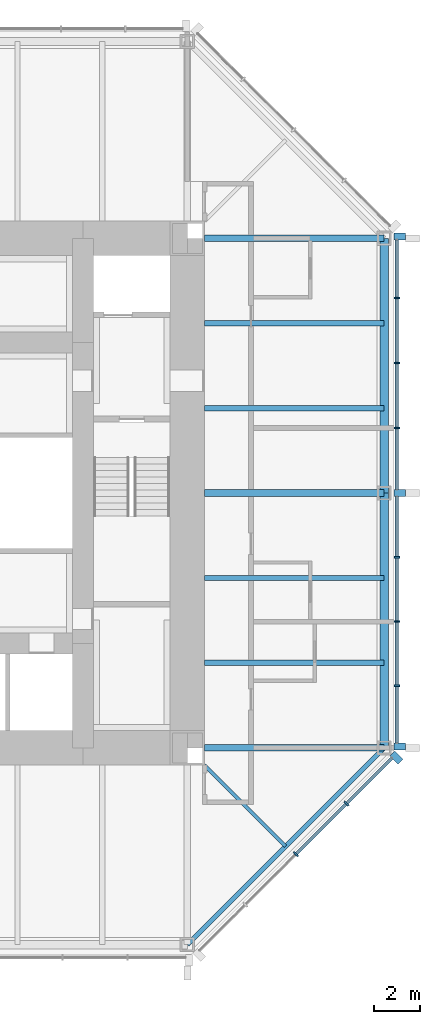
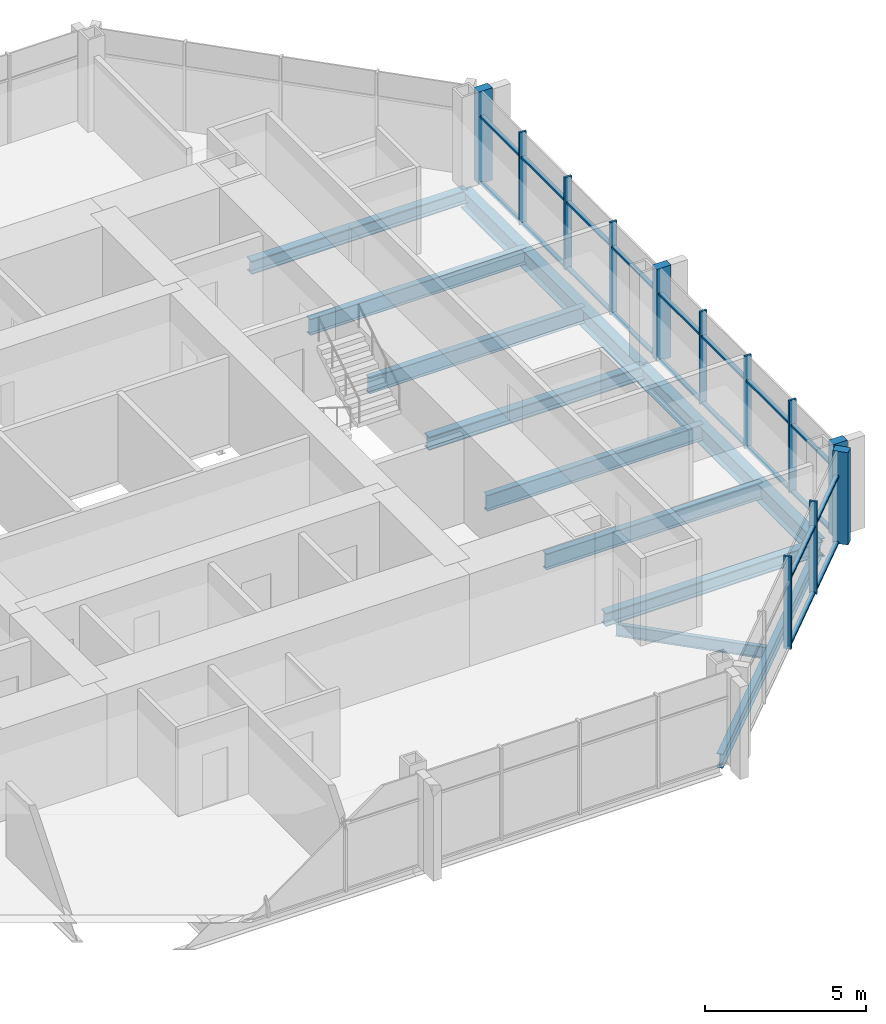
# One storey, part 4 of 11: 32 members, 11 beams, 2 elements without a shape of their own.
"""IFC4 building model written with IfcOpenShell, lengths in metres."""

from ifc_helpers import new_model, si_unit, direction, frame, origin, origin_2d, place, context, subcontext, project, spatial, rectangle, i_section, extrude, material, material_profile, profile_set, type_object, element, aggregate, save


model = new_model("IFC4")

# Units and contexts
model_context = context("Model", 3, precision=1e-05, world=origin(), true_north=direction((0.0, 1.0)))
body_context = subcontext(model_context, "Body", "Model", "MODEL_VIEW")
ifc_project = project(units=[si_unit("LENGTHUNIT", "METRE"), si_unit("AREAUNIT", "SQUARE_METRE"), si_unit("VOLUMEUNIT", "CUBIC_METRE"), si_unit("PLANEANGLEUNIT", "RADIAN"), si_unit("MASSUNIT", "GRAM", prefix="KILO")], contexts=[model_context])

# Site, building, storey
site_placement = place(None, origin())
site = spatial("IfcSite", under=ifc_project, at=site_placement, CompositionType="ELEMENT")
building_placement = place(site_placement, origin())
building = spatial("IfcBuilding", under=site, at=building_placement, Name="Trevanion Tower", CompositionType="ELEMENT")
storey_placement = place(building_placement, frame((0.0, 0.0, 222.199951171875)))
storey = spatial("IfcBuildingStorey", under=building, at=storey_placement, Name="L53", CompositionType="ELEMENT", Elevation=222.199951171875)

# Beams
ifc_material_1 = material(Name="Steel ASTM A992 Grade 50", Category="steel")
ifc_material_profile_1 = material_profile(ifc_material_1, i_section(OverallWidth=0.228271484375, OverallDepth=0.607177734375, WebThickness=0.01123046875, FlangeThickness=0.017333984375, at=origin_2d()), Name="W24X76")
ifc_profile_set_1 = profile_set([ifc_material_profile_1], Name="Steel ASTM A992 Grade 50")
beam_type_1 = type_object("IfcBeamType", Name="B11 W24X76", PredefinedType="BEAM", material=ifc_profile_set_1)
for number, where, z_axis, x_axis, name in (
    (1, (11.75, -7.333251953125, -0.493408203125), (1.0, 0.0, 0.0), (0.0, 1.0, 0.0), "B11 L53"),
    (2, (11.75, -3.666748046875, -0.493408203125), (1.0, 0.0, 0.0), (0.0, 1.0, 0.0), "B11 L53"),
    (3, (11.75, 3.666748046875, -0.493408203125), (1.0, 0.0, 0.0), (0.0, 1.0, 0.0), "B11 L53"),
    (4, (11.75, 7.333251953125, -0.493408203125), (1.0, 0.0, 0.0), (0.0, 1.0, 0.0), "B11 L53"),
):
    element("IfcBeam", number, at=place(storey_placement, frame(where, z_axis=z_axis, x_axis=x_axis)), inside=storey, type_object=beam_type_1, Name=name, PredefinedType="BEAM", context=body_context, shape_type="SweptSolid", body=[
        extrude(i_section(OverallWidth=0.228271484375, OverallDepth=0.607177734375, WebThickness=0.01123046875, FlangeThickness=0.017333984375, at=origin_2d()), origin(), (0.0, 0.0, 1.0), 7.75),
    ])
ifc_material_2 = material(Name="Steel ASTM A992 Grade 50", Category="steel")
ifc_material_profile_2 = material_profile(ifc_material_2, i_section(OverallWidth=0.15234375, OverallDepth=0.449462890625, WebThickness=0.007568359375, FlangeThickness=0.0107421875, at=origin_2d()), Name="W18X35")
ifc_profile_set_2 = profile_set([ifc_material_profile_2], Name="Steel ASTM A992 Grade 50")
beam_type_2 = type_object("IfcBeamType", Name="B12 W18X35", PredefinedType="BEAM", material=ifc_profile_set_2)
beam_1_placement = place(storey_placement, frame((11.75, -11.75, -0.414794921875), z_axis=(0.707106781187, -0.707106781187, 0.0), x_axis=(0.707106781187, 0.707106781187, 0.0)))
element("IfcBeam", 5, at=beam_1_placement, inside=storey, type_object=beam_type_2, Name="B12 L53", PredefinedType="BEAM", context=body_context, shape_type="SweptSolid", body=[
    extrude(i_section(OverallWidth=0.15234375, OverallDepth=0.449462890625, WebThickness=0.007568359375, FlangeThickness=0.0107421875, at=origin_2d()), origin(), (0.0, 0.0, 1.0), 4.94970703125),
])

# Curtain wall, members
ifc_material_3 = material(Name="Aluminium and glass", Category="aluminium")
curtain_wall_type = type_object("IfcCurtainWallType", Name="CW3 curtain wall", PredefinedType="USERDEFINED", material=ifc_material_3)
curtain_wall_1_placement = place(storey_placement, origin())
curtain_wall_1 = element("IfcCurtainWall", 6, at=curtain_wall_1_placement, inside=storey, type_object=curtain_wall_type, Name="CW3 L53 0", ObjectType="UNITISED CURTAIN WALL", PredefinedType="USERDEFINED")
ifc_material_4 = material(Name="Aluminium extrusion, anodised bronze", Category="aluminium")
ifc_material_profile_3 = material_profile(ifc_material_4, rectangle(XDim=0.074951171875, YDim=0.25, at=origin_2d()), Name="CW3 mullion")
ifc_profile_set_3 = profile_set([ifc_material_profile_3], Name="Aluminium extrusion, anodised bronze")
member_type_1 = type_object("IfcMemberType", Name="CW3 mullion", PredefinedType="MULLION", material=ifc_profile_set_3)
member_1_placement = place(storey_placement, frame((20.050048828125, -8.323486328125, -0.18994140625), z_axis=(0.0, 0.0, 1.0), x_axis=(0.0, 1.0, 0.0)))
member_1 = element("IfcMember", 7, at=member_1_placement, type_object=member_type_1, Name="CW3 mullion 2", PredefinedType="MULLION", context=body_context, shape_type="SweptSolid", body=[
    extrude(rectangle(XDim=0.074951171875, YDim=0.25, at=origin_2d()), origin(), (0.0, 0.0, 1.0), 3.5),
])
member_2_placement = place(storey_placement, frame((20.050048828125, -5.548828125, -0.18994140625), z_axis=(0.0, 0.0, 1.0), x_axis=(0.0, 1.0, 0.0)))
member_2 = element("IfcMember", 8, at=member_2_placement, type_object=member_type_1, Name="CW3 mullion 3", PredefinedType="MULLION", context=body_context, shape_type="SweptSolid", body=[
    extrude(rectangle(XDim=0.074951171875, YDim=0.25, at=origin_2d()), origin(), (0.0, 0.0, 1.0), 3.5),
])
member_3_placement = place(storey_placement, frame((20.050048828125, -2.7744140625, -0.18994140625), z_axis=(0.0, 0.0, 1.0), x_axis=(0.0, 1.0, 0.0)))
member_3 = element("IfcMember", 9, at=member_3_placement, type_object=member_type_1, Name="CW3 mullion 4", PredefinedType="MULLION", context=body_context, shape_type="SweptSolid", body=[
    extrude(rectangle(XDim=0.074951171875, YDim=0.25, at=origin_2d()), origin(), (0.0, 0.0, 1.0), 3.5),
])
member_4_placement = place(storey_placement, frame((20.050048828125, 2.806884765625, -0.18994140625), z_axis=(0.0, 0.0, 1.0), x_axis=(0.0, 1.0, 0.0)))
member_4 = element("IfcMember", 10, at=member_4_placement, type_object=member_type_1, Name="CW3 mullion 6", PredefinedType="MULLION", context=body_context, shape_type="SweptSolid", body=[
    extrude(rectangle(XDim=0.074951171875, YDim=0.25, at=origin_2d()), origin(), (0.0, 0.0, 1.0), 3.5),
])
member_5_placement = place(storey_placement, frame((20.050048828125, 5.614013671875, -0.18994140625), z_axis=(0.0, 0.0, 1.0), x_axis=(0.0, 1.0, 0.0)))
member_5 = element("IfcMember", 11, at=member_5_placement, type_object=member_type_1, Name="CW3 mullion 7", PredefinedType="MULLION", context=body_context, shape_type="SweptSolid", body=[
    extrude(rectangle(XDim=0.074951171875, YDim=0.25, at=origin_2d()), origin(), (0.0, 0.0, 1.0), 3.5),
])
member_6_placement = place(storey_placement, frame((20.050048828125, 8.4208984375, -0.18994140625), z_axis=(0.0, 0.0, 1.0), x_axis=(0.0, 1.0, 0.0)))
member_6 = element("IfcMember", 12, at=member_6_placement, type_object=member_type_1, Name="CW3 mullion 8", PredefinedType="MULLION", context=body_context, shape_type="SweptSolid", body=[
    extrude(rectangle(XDim=0.074951171875, YDim=0.25, at=origin_2d()), origin(), (0.0, 0.0, 1.0), 3.5),
])

curtain_wall_2_placement = place(storey_placement, origin())
curtain_wall_2 = element("IfcCurtainWall", 13, at=curtain_wall_2_placement, inside=storey, type_object=curtain_wall_type, Name="CW3 L53 7", ObjectType="UNITISED CURTAIN WALL", PredefinedType="USERDEFINED")
member_7_placement = place(storey_placement, frame((15.684814453125, -15.593017578125, -0.18994140625), z_axis=(0.0, 0.0, 1.0), x_axis=(0.707106781187, 0.707106781187, 0.0)))
member_7 = element("IfcMember", 14, at=member_7_placement, type_object=member_type_1, Name="CW3 mullion 3", PredefinedType="MULLION", context=body_context, shape_type="SweptSolid", body=[
    extrude(rectangle(XDim=0.074951171875, YDim=0.25, at=origin_2d()), origin(), (0.0, 0.0, 1.0), 3.5),
])
member_8_placement = place(storey_placement, frame((17.867431640625, -13.410400390625, -0.18994140625), z_axis=(0.0, 0.0, 1.0), x_axis=(0.707106781187, 0.707106781187, 0.0)))
member_8 = element("IfcMember", 15, at=member_8_placement, type_object=member_type_1, Name="CW3 mullion 4", PredefinedType="MULLION", context=body_context, shape_type="SweptSolid", body=[
    extrude(rectangle(XDim=0.074951171875, YDim=0.25, at=origin_2d()), origin(), (0.0, 0.0, 1.0), 3.5),
])

# Member
ifc_material_5 = material(Name="Aluminium extrusion, anodised bronze", Category="aluminium")
ifc_material_profile_4 = material_profile(ifc_material_5, rectangle(XDim=0.300048828125, YDim=0.5, at=origin_2d()), Name="CW3 pier mullion")
ifc_profile_set_4 = profile_set([ifc_material_profile_4], Name="Aluminium extrusion, anodised bronze")
member_type_2 = type_object("IfcMemberType", Name="CW3 pier mullion", PredefinedType="MULLION", material=ifc_profile_set_4)
member_9_placement = place(storey_placement, frame((20.175048828125, -10.94775390625, -0.18994140625), z_axis=(0.0, 0.0, 1.0), x_axis=(0.0, 1.0, 0.0)))
member_9 = element("IfcMember", 16, at=member_9_placement, type_object=member_type_2, Name="CW3 pier mullion 1", PredefinedType="MULLION", context=body_context, shape_type="SweptSolid", body=[
    extrude(rectangle(XDim=0.300048828125, YDim=0.5, at=origin_2d()), origin(), (0.0, 0.0, 1.0), 3.5),
])

member_10_placement = place(storey_placement, frame((20.175048828125, 0.0, -0.18994140625), z_axis=(0.0, 0.0, 1.0), x_axis=(0.0, 1.0, 0.0)))
member_10 = element("IfcMember", 17, at=member_10_placement, type_object=member_type_2, Name="CW3 pier mullion 5", PredefinedType="MULLION", context=body_context, shape_type="SweptSolid", body=[
    extrude(rectangle(XDim=0.300048828125, YDim=0.5, at=origin_2d()), origin(), (0.0, 0.0, 1.0), 3.5),
])

member_11_placement = place(storey_placement, frame((20.175048828125, 11.077880859375, -0.18994140625), z_axis=(0.0, 0.0, 1.0), x_axis=(0.0, 1.0, 0.0)))
member_11 = element("IfcMember", 18, at=member_11_placement, type_object=member_type_2, Name="CW3 pier mullion 9", PredefinedType="MULLION", context=body_context, shape_type="SweptSolid", body=[
    extrude(rectangle(XDim=0.300048828125, YDim=0.5, at=origin_2d()), origin(), (0.0, 0.0, 1.0), 3.5),
])

member_12_placement = place(storey_placement, frame((20.0322265625, -11.42236328125, -0.18994140625), z_axis=(0.0, 0.0, 1.0), x_axis=(0.707106781187, 0.707106781187, 0.0)))
member_12 = element("IfcMember", 19, at=member_12_placement, type_object=member_type_2, Name="CW3 pier mullion 5", PredefinedType="MULLION", context=body_context, shape_type="SweptSolid", body=[
    extrude(rectangle(XDim=0.300048828125, YDim=0.5, at=origin_2d()), origin(), (0.0, 0.0, 1.0), 3.5),
])

ifc_material_6 = material(Name="Aluminium extrusion, anodised bronze", Category="aluminium")
ifc_material_profile_5 = material_profile(ifc_material_6, rectangle(XDim=0.14990234375, YDim=0.074951171875, at=origin_2d()), Name="CW3 transom")
ifc_profile_set_5 = profile_set([ifc_material_profile_5], Name="Aluminium extrusion, anodised bronze")
member_type_3 = type_object("IfcMemberType", Name="CW3 transom", PredefinedType="USERDEFINED", material=ifc_profile_set_5)
member_13_placement = place(storey_placement, frame((20.050048828125, -10.7978515625, -0.15234375), z_axis=(0.0, 1.0, 0.0), x_axis=(-1.0, 0.0, 0.0)))
member_13 = element("IfcMember", 20, at=member_13_placement, type_object=member_type_3, Name="CW3 transom 1.1", ObjectType="TRANSOM", PredefinedType="USERDEFINED", context=body_context, shape_type="SweptSolid", body=[
    extrude(rectangle(XDim=0.14990234375, YDim=0.074951171875, at=origin_2d()), origin(), (0.0, 0.0, 1.0), 2.43701171875),
])

member_14_placement = place(storey_placement, frame((20.050048828125, -10.7978515625, 2.360107421875), z_axis=(0.0, 1.0, 0.0), x_axis=(-1.0, 0.0, 0.0)))
member_14 = element("IfcMember", 21, at=member_14_placement, type_object=member_type_3, Name="CW3 transom 1.2", ObjectType="TRANSOM", PredefinedType="USERDEFINED", context=body_context, shape_type="SweptSolid", body=[
    extrude(rectangle(XDim=0.14990234375, YDim=0.074951171875, at=origin_2d()), origin(), (0.0, 0.0, 1.0), 2.43701171875),
])

member_15_placement = place(storey_placement, frame((20.050048828125, -8.285888671875, -0.15234375), z_axis=(0.0, 1.0, 0.0), x_axis=(-1.0, 0.0, 0.0)))
member_15 = element("IfcMember", 22, at=member_15_placement, type_object=member_type_3, Name="CW3 transom 2.1", ObjectType="TRANSOM", PredefinedType="USERDEFINED", context=body_context, shape_type="SweptSolid", body=[
    extrude(rectangle(XDim=0.14990234375, YDim=0.074951171875, at=origin_2d()), origin(), (0.0, 0.0, 1.0), 2.699462890625),
])

member_16_placement = place(storey_placement, frame((20.050048828125, -8.285888671875, 2.360107421875), z_axis=(0.0, 1.0, 0.0), x_axis=(-1.0, 0.0, 0.0)))
member_16 = element("IfcMember", 23, at=member_16_placement, type_object=member_type_3, Name="CW3 transom 2.2", ObjectType="TRANSOM", PredefinedType="USERDEFINED", context=body_context, shape_type="SweptSolid", body=[
    extrude(rectangle(XDim=0.14990234375, YDim=0.074951171875, at=origin_2d()), origin(), (0.0, 0.0, 1.0), 2.699462890625),
])

member_17_placement = place(storey_placement, frame((20.050048828125, -5.511474609375, -0.15234375), z_axis=(0.0, 1.0, 0.0), x_axis=(-1.0, 0.0, 0.0)))
member_17 = element("IfcMember", 24, at=member_17_placement, type_object=member_type_3, Name="CW3 transom 3.1", ObjectType="TRANSOM", PredefinedType="USERDEFINED", context=body_context, shape_type="SweptSolid", body=[
    extrude(rectangle(XDim=0.14990234375, YDim=0.074951171875, at=origin_2d()), origin(), (0.0, 0.0, 1.0), 2.699462890625),
])

member_18_placement = place(storey_placement, frame((20.050048828125, -5.511474609375, 2.360107421875), z_axis=(0.0, 1.0, 0.0), x_axis=(-1.0, 0.0, 0.0)))
member_18 = element("IfcMember", 25, at=member_18_placement, type_object=member_type_3, Name="CW3 transom 3.2", ObjectType="TRANSOM", PredefinedType="USERDEFINED", context=body_context, shape_type="SweptSolid", body=[
    extrude(rectangle(XDim=0.14990234375, YDim=0.074951171875, at=origin_2d()), origin(), (0.0, 0.0, 1.0), 2.699462890625),
])

member_19_placement = place(storey_placement, frame((20.050048828125, -2.737060546875, -0.15234375), z_axis=(0.0, 1.0, 0.0), x_axis=(-1.0, 0.0, 0.0)))
member_19 = element("IfcMember", 26, at=member_19_placement, type_object=member_type_3, Name="CW3 transom 4.1", ObjectType="TRANSOM", PredefinedType="USERDEFINED", context=body_context, shape_type="SweptSolid", body=[
    extrude(rectangle(XDim=0.14990234375, YDim=0.074951171875, at=origin_2d()), origin(), (0.0, 0.0, 1.0), 2.587158203125),
])

member_20_placement = place(storey_placement, frame((20.050048828125, -2.737060546875, 2.360107421875), z_axis=(0.0, 1.0, 0.0), x_axis=(-1.0, 0.0, 0.0)))
member_20 = element("IfcMember", 27, at=member_20_placement, type_object=member_type_3, Name="CW3 transom 4.2", ObjectType="TRANSOM", PredefinedType="USERDEFINED", context=body_context, shape_type="SweptSolid", body=[
    extrude(rectangle(XDim=0.14990234375, YDim=0.074951171875, at=origin_2d()), origin(), (0.0, 0.0, 1.0), 2.587158203125),
])

member_21_placement = place(storey_placement, frame((20.050048828125, 0.14990234375, -0.15234375), z_axis=(0.0, 1.0, 0.0), x_axis=(-1.0, 0.0, 0.0)))
member_21 = element("IfcMember", 28, at=member_21_placement, type_object=member_type_3, Name="CW3 transom 5.1", ObjectType="TRANSOM", PredefinedType="USERDEFINED", context=body_context, shape_type="SweptSolid", body=[
    extrude(rectangle(XDim=0.14990234375, YDim=0.074951171875, at=origin_2d()), origin(), (0.0, 0.0, 1.0), 2.619384765625),
])

member_22_placement = place(storey_placement, frame((20.050048828125, 0.14990234375, 2.360107421875), z_axis=(0.0, 1.0, 0.0), x_axis=(-1.0, 0.0, 0.0)))
member_22 = element("IfcMember", 29, at=member_22_placement, type_object=member_type_3, Name="CW3 transom 5.2", ObjectType="TRANSOM", PredefinedType="USERDEFINED", context=body_context, shape_type="SweptSolid", body=[
    extrude(rectangle(XDim=0.14990234375, YDim=0.074951171875, at=origin_2d()), origin(), (0.0, 0.0, 1.0), 2.619384765625),
])

member_23_placement = place(storey_placement, frame((20.050048828125, 2.844482421875, -0.15234375), z_axis=(0.0, 1.0, 0.0), x_axis=(-1.0, 0.0, 0.0)))
member_23 = element("IfcMember", 30, at=member_23_placement, type_object=member_type_3, Name="CW3 transom 6.1", ObjectType="TRANSOM", PredefinedType="USERDEFINED", context=body_context, shape_type="SweptSolid", body=[
    extrude(rectangle(XDim=0.14990234375, YDim=0.074951171875, at=origin_2d()), origin(), (0.0, 0.0, 1.0), 2.73193359375),
])

member_24_placement = place(storey_placement, frame((20.050048828125, 2.844482421875, 2.360107421875), z_axis=(0.0, 1.0, 0.0), x_axis=(-1.0, 0.0, 0.0)))
member_24 = element("IfcMember", 31, at=member_24_placement, type_object=member_type_3, Name="CW3 transom 6.2", ObjectType="TRANSOM", PredefinedType="USERDEFINED", context=body_context, shape_type="SweptSolid", body=[
    extrude(rectangle(XDim=0.14990234375, YDim=0.074951171875, at=origin_2d()), origin(), (0.0, 0.0, 1.0), 2.73193359375),
])

member_25_placement = place(storey_placement, frame((20.050048828125, 5.6513671875, -0.15234375), z_axis=(0.0, 1.0, 0.0), x_axis=(-1.0, 0.0, 0.0)))
member_25 = element("IfcMember", 32, at=member_25_placement, type_object=member_type_3, Name="CW3 transom 7.1", ObjectType="TRANSOM", PredefinedType="USERDEFINED", context=body_context, shape_type="SweptSolid", body=[
    extrude(rectangle(XDim=0.14990234375, YDim=0.074951171875, at=origin_2d()), origin(), (0.0, 0.0, 1.0), 2.73193359375),
])

member_26_placement = place(storey_placement, frame((20.050048828125, 5.6513671875, 2.360107421875), z_axis=(0.0, 1.0, 0.0), x_axis=(-1.0, 0.0, 0.0)))
member_26 = element("IfcMember", 33, at=member_26_placement, type_object=member_type_3, Name="CW3 transom 7.2", ObjectType="TRANSOM", PredefinedType="USERDEFINED", context=body_context, shape_type="SweptSolid", body=[
    extrude(rectangle(XDim=0.14990234375, YDim=0.074951171875, at=origin_2d()), origin(), (0.0, 0.0, 1.0), 2.73193359375),
])

member_27_placement = place(storey_placement, frame((20.050048828125, 8.45849609375, -0.15234375), z_axis=(0.0, 1.0, 0.0), x_axis=(-1.0, 0.0, 0.0)))
member_27 = element("IfcMember", 34, at=member_27_placement, type_object=member_type_3, Name="CW3 transom 8.1", ObjectType="TRANSOM", PredefinedType="USERDEFINED", context=body_context, shape_type="SweptSolid", body=[
    extrude(rectangle(XDim=0.14990234375, YDim=0.074951171875, at=origin_2d()), origin(), (0.0, 0.0, 1.0), 2.46923828125),
])

member_28_placement = place(storey_placement, frame((20.050048828125, 8.45849609375, 2.360107421875), z_axis=(0.0, 1.0, 0.0), x_axis=(-1.0, 0.0, 0.0)))
member_28 = element("IfcMember", 35, at=member_28_placement, type_object=member_type_3, Name="CW3 transom 8.2", ObjectType="TRANSOM", PredefinedType="USERDEFINED", context=body_context, shape_type="SweptSolid", body=[
    extrude(rectangle(XDim=0.14990234375, YDim=0.074951171875, at=origin_2d()), origin(), (0.0, 0.0, 1.0), 2.46923828125),
])

aggregate(curtain_wall_1, [member_9, member_1, member_2, member_3, member_10, member_4, member_5, member_6, member_11, member_13, member_14, member_15, member_16, member_17, member_18, member_19, member_20, member_21, member_22, member_23, member_24, member_25, member_26, member_27, member_28])

member_29_placement = place(storey_placement, frame((15.71142578125, -15.56640625, -0.15234375), z_axis=(0.707106781187, 0.707106781187, 0.0), x_axis=(-0.707106781187, 0.707106781187, 0.0)))
member_29 = element("IfcMember", 36, at=member_29_placement, type_object=member_type_3, Name="CW3 transom 3.1", ObjectType="TRANSOM", PredefinedType="USERDEFINED", context=body_context, shape_type="SweptSolid", body=[
    extrude(rectangle(XDim=0.14990234375, YDim=0.074951171875, at=origin_2d()), origin(), (0.0, 0.0, 1.0), 3.011474609375),
])

member_30_placement = place(storey_placement, frame((15.71142578125, -15.56640625, 2.360107421875), z_axis=(0.707106781187, 0.707106781187, 0.0), x_axis=(-0.707106781187, 0.707106781187, 0.0)))
member_30 = element("IfcMember", 37, at=member_30_placement, type_object=member_type_3, Name="CW3 transom 3.2", ObjectType="TRANSOM", PredefinedType="USERDEFINED", context=body_context, shape_type="SweptSolid", body=[
    extrude(rectangle(XDim=0.14990234375, YDim=0.074951171875, at=origin_2d()), origin(), (0.0, 0.0, 1.0), 3.011474609375),
])

member_31_placement = place(storey_placement, frame((17.89404296875, -13.3837890625, -0.15234375), z_axis=(0.707106781187, 0.707106781187, 0.0), x_axis=(-0.707106781187, 0.707106781187, 0.0)))
member_31 = element("IfcMember", 38, at=member_31_placement, type_object=member_type_3, Name="CW3 transom 4.1", ObjectType="TRANSOM", PredefinedType="USERDEFINED", context=body_context, shape_type="SweptSolid", body=[
    extrude(rectangle(XDim=0.14990234375, YDim=0.074951171875, at=origin_2d()), origin(), (0.0, 0.0, 1.0), 2.7490234375),
])

member_32_placement = place(storey_placement, frame((17.89404296875, -13.3837890625, 2.360107421875), z_axis=(0.707106781187, 0.707106781187, 0.0), x_axis=(-0.707106781187, 0.707106781187, 0.0)))
member_32 = element("IfcMember", 39, at=member_32_placement, type_object=member_type_3, Name="CW3 transom 4.2", ObjectType="TRANSOM", PredefinedType="USERDEFINED", context=body_context, shape_type="SweptSolid", body=[
    extrude(rectangle(XDim=0.14990234375, YDim=0.074951171875, at=origin_2d()), origin(), (0.0, 0.0, 1.0), 2.7490234375),
])

aggregate(curtain_wall_2, [member_7, member_8, member_12, member_29, member_30, member_31, member_32])

# Beams
ifc_material_7 = material(Name="Steel ASTM A992 Grade 50", Category="steel")
ifc_material_profile_6 = material_profile(ifc_material_7, i_section(OverallWidth=0.28955078125, OverallDepth=0.508056640625, WebThickness=0.022705078125, FlangeThickness=0.040283203125, at=origin_2d()), Name="W18X175")
ifc_profile_set_6 = profile_set([ifc_material_profile_6], Name="Steel ASTM A992 Grade 50")
beam_type_3 = type_object("IfcBeamType", Name="G6 W18X175", PredefinedType="BEAM", material=ifc_profile_set_6)
for number, where, z_axis, x_axis, name in (
    (40, (11.75, -11.0, -0.44384765625), (1.0, 0.0, 0.0), (0.0, 1.0, 0.0), "G6 L53"),
    (41, (11.75, 0.0, -0.44384765625), (1.0, 0.0, 0.0), (0.0, 1.0, 0.0), "G6 L53"),
    (42, (11.75, 11.0, -0.44384765625), (1.0, 0.0, 0.0), (0.0, 1.0, 0.0), "G6 L53"),
):
    element("IfcBeam", number, at=place(storey_placement, frame(where, z_axis=z_axis, x_axis=x_axis)), inside=storey, type_object=beam_type_3, Name=name, PredefinedType="BEAM", context=body_context, shape_type="SweptSolid", body=[
        extrude(i_section(OverallWidth=0.28955078125, OverallDepth=0.508056640625, WebThickness=0.022705078125, FlangeThickness=0.040283203125, at=origin_2d()), origin(), (0.0, 0.0, 1.0), 7.75),
    ])
ifc_material_8 = material(Name="Steel ASTM A992 Grade 50", Category="steel")
ifc_material_profile_7 = material_profile(ifc_material_8, i_section(OverallWidth=0.355712890625, OverallDepth=0.696044921875, WebThickness=0.015380859375, FlangeThickness=0.024658203125, at=origin_2d()), Name="W27X146")
ifc_profile_set_7 = profile_set([ifc_material_profile_7], Name="Steel ASTM A992 Grade 50")
beam_type_4 = type_object("IfcBeamType", Name="SB8 W27X146", PredefinedType="SPANDREL", material=ifc_profile_set_7)
for number, where, z_axis, x_axis, name in (
    (43, (19.5, -11.0, -0.537841796875), (0.0, 1.0, 0.0), (-1.0, 0.0, 0.0), "SB8 L53"),
    (44, (19.5, 0.0, -0.537841796875), (0.0, 1.0, 0.0), (-1.0, 0.0, 0.0), "SB8 L53"),
):
    element("IfcBeam", number, at=place(storey_placement, frame(where, z_axis=z_axis, x_axis=x_axis)), inside=storey, type_object=beam_type_4, Name=name, PredefinedType="SPANDREL", context=body_context, shape_type="SweptSolid", body=[
        extrude(i_section(OverallWidth=0.355712890625, OverallDepth=0.696044921875, WebThickness=0.015380859375, FlangeThickness=0.024658203125, at=origin_2d()), origin(), (0.0, 0.0, 1.0), 11.0),
    ])
ifc_material_9 = material(Name="Steel ASTM A992 Grade 50", Category="steel")
ifc_material_profile_8 = material_profile(ifc_material_9, i_section(OverallWidth=0.209228515625, OverallDepth=0.533447265625, WebThickness=0.01025390625, FlangeThickness=0.015625, at=origin_2d()), Name="W21X62")
ifc_profile_set_8 = profile_set([ifc_material_profile_8], Name="Steel ASTM A992 Grade 50")
beam_type_5 = type_object("IfcBeamType", Name="SB9 W21X62", PredefinedType="SPANDREL", material=ifc_profile_set_8)
beam_2_placement = place(storey_placement, frame((11.0, -19.5, -0.45654296875), z_axis=(0.707106781187, 0.707106781187, 0.0), x_axis=(-0.707106781187, 0.707106781187, 0.0)))
element("IfcBeam", 45, at=beam_2_placement, inside=storey, type_object=beam_type_5, Name="SB9 L53", PredefinedType="SPANDREL", context=body_context, shape_type="SweptSolid", body=[
    extrude(i_section(OverallWidth=0.209228515625, OverallDepth=0.533447265625, WebThickness=0.01025390625, FlangeThickness=0.015625, at=origin_2d()), origin(), (0.0, 0.0, 1.0), 12.020751953125),
])

save(model, "model.ifc")
